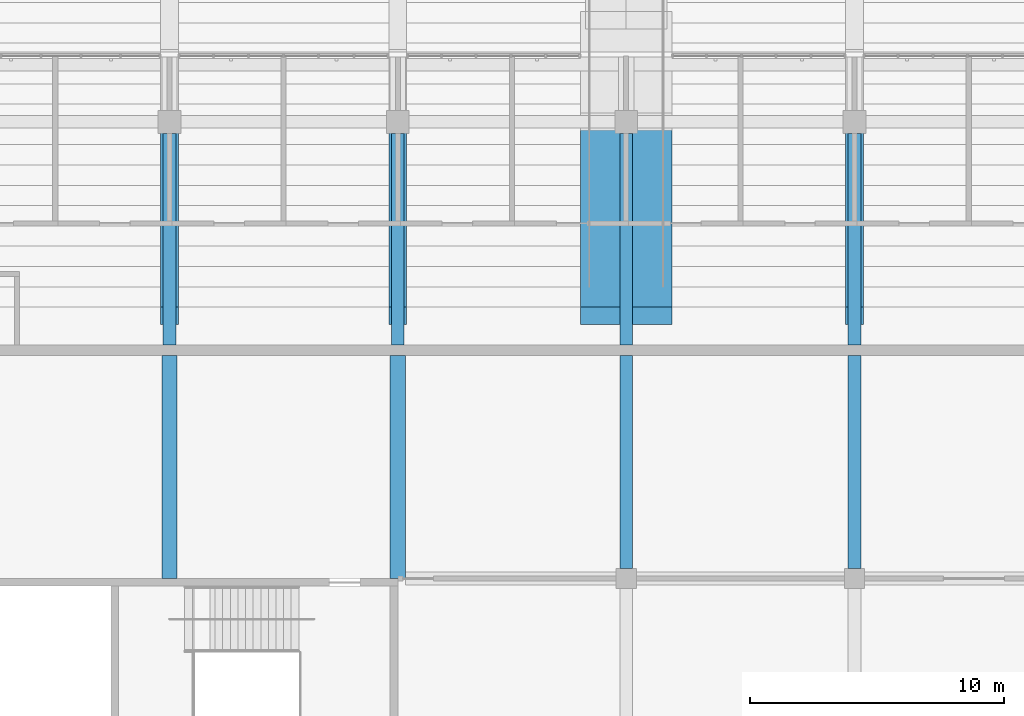
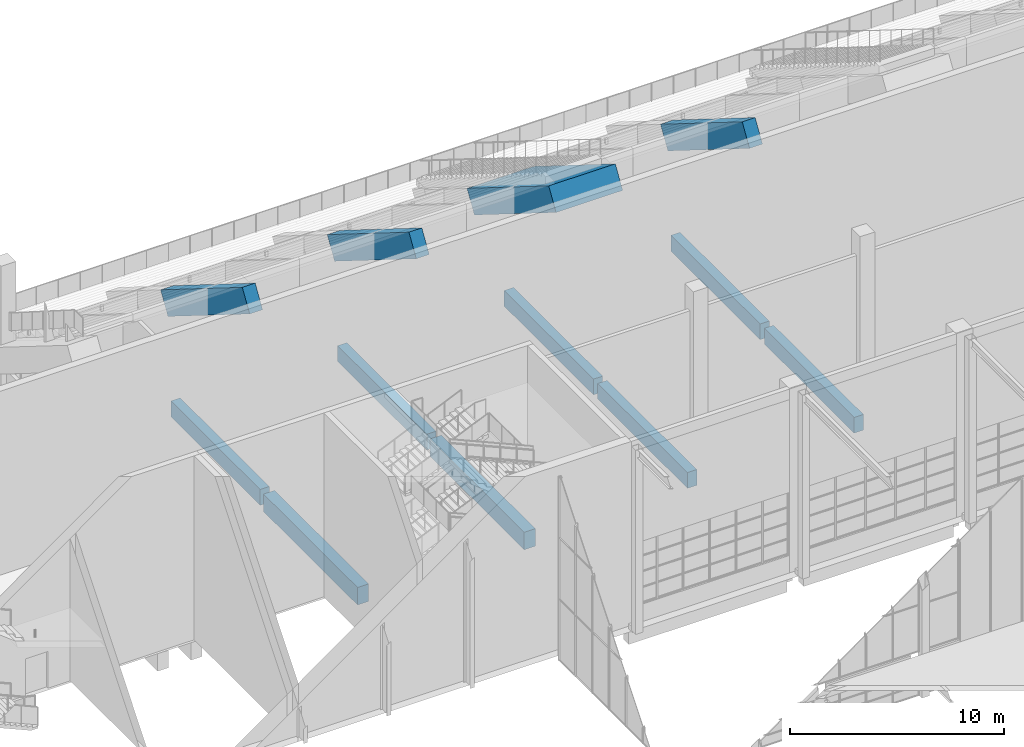
# One storey, part 23 of 182: 12 beams.
"""IFC4 building model written with IfcOpenShell, lengths in metres."""

from ifc_helpers import new_model, si_unit, direction, frame, origin, origin_2d, place, context, subcontext, project, spatial, rectangle, extrude, material, material_profile, profile_set, type_object, element, save


model = new_model("IFC4")

# Units and contexts
model_context = context("Model", 3, precision=1e-05, world=origin(), true_north=direction((0.0, 1.0)))
body_context = subcontext(model_context, "Body", "Model", "MODEL_VIEW")
ifc_project = project(units=[si_unit("LENGTHUNIT", "METRE"), si_unit("AREAUNIT", "SQUARE_METRE"), si_unit("VOLUMEUNIT", "CUBIC_METRE"), si_unit("PLANEANGLEUNIT", "RADIAN"), si_unit("MASSUNIT", "GRAM", prefix="KILO")], contexts=[model_context])

# Site, building, storey
site_placement = place(None, origin())
site = spatial("IfcSite", under=ifc_project, at=site_placement, CompositionType="ELEMENT")
building_placement = place(site_placement, origin())
building = spatial("IfcBuilding", under=site, at=building_placement, Name="Silverbay Arena", CompositionType="ELEMENT")
storey_placement = place(building_placement, frame((0.0, 0.0, 11.5)))
storey = spatial("IfcBuildingStorey", under=building, at=storey_placement, Name="L02", CompositionType="ELEMENT", Elevation=11.5)

# Beams
ifc_material_1 = material(Name="Concrete Grade C45", Category="concrete")
ifc_material_profile_1 = material_profile(ifc_material_1, rectangle(XDim=0.5, YDim=0.89990234375, at=origin_2d()), Name="RC 500x900")
ifc_profile_set_1 = profile_set([ifc_material_profile_1], Name="Concrete Grade C45")
beam_type_1 = type_object("IfcBeamType", Name="RC beam 500x900", PredefinedType="BEAM", material=ifc_profile_set_1)
for number, where, z_axis, x_axis, name in (
    (1, (108.0, 36.199951171875, -0.800048828125), (0.0, 1.0, 0.0), (-1.0, 0.0, 0.0), "Floor beam L02 254"),
    (2, (117.0, 36.199951171875, -0.800048828125), (0.0, 1.0, 0.0), (-1.0, 0.0, 0.0), "Floor beam L02 260"),
):
    element("IfcBeam", number, at=place(storey_placement, frame(where, z_axis=z_axis, x_axis=x_axis)), inside=storey, type_object=beam_type_1, Name=name, PredefinedType="BEAM", context=body_context, shape_type="SweptSolid", body=[
        extrude(rectangle(XDim=0.5, YDim=0.89990234375, at=origin_2d()), origin(), (0.0, 0.0, 1.0), 8.35009765625),
    ])
beam_1_placement = place(storey_placement, frame((126.0, 27.39990234375, -0.800048828125), z_axis=(0.0, 1.0, 0.0), x_axis=(-1.0, 0.0, 0.0)))
element("IfcBeam", 3, at=beam_1_placement, inside=storey, type_object=beam_type_1, Name="Floor beam L02 266", PredefinedType="BEAM", context=body_context, shape_type="SweptSolid", body=[
    extrude(rectangle(XDim=0.5, YDim=0.89990234375, at=origin_2d()), origin(), (0.0, 0.0, 1.0), 8.400146484375),
])
beam_2_placement = place(storey_placement, frame((126.0, 36.199951171875, -0.800048828125), z_axis=(0.0, 1.0, 0.0), x_axis=(-1.0, 0.0, 0.0)))
element("IfcBeam", 4, at=beam_2_placement, inside=storey, type_object=beam_type_1, Name="Floor beam L02 267", PredefinedType="BEAM", context=body_context, shape_type="SweptSolid", body=[
    extrude(rectangle(XDim=0.5, YDim=0.89990234375, at=origin_2d()), origin(), (0.0, 0.0, 1.0), 8.35009765625),
])
beam_3_placement = place(storey_placement, frame((135.0, 27.39990234375, -0.800048828125), z_axis=(0.0, 1.0, 0.0), x_axis=(-1.0, 0.0, 0.0)))
element("IfcBeam", 5, at=beam_3_placement, inside=storey, type_object=beam_type_1, Name="Floor beam L02 274", PredefinedType="BEAM", context=body_context, shape_type="SweptSolid", body=[
    extrude(rectangle(XDim=0.5, YDim=0.89990234375, at=origin_2d()), origin(), (0.0, 0.0, 1.0), 8.400146484375),
])
beam_4_placement = place(storey_placement, frame((135.0, 36.199951171875, -0.800048828125), z_axis=(0.0, 1.0, 0.0), x_axis=(-1.0, 0.0, 0.0)))
element("IfcBeam", 6, at=beam_4_placement, inside=storey, type_object=beam_type_1, Name="Floor beam L02 275", PredefinedType="BEAM", context=body_context, shape_type="SweptSolid", body=[
    extrude(rectangle(XDim=0.5, YDim=0.89990234375, at=origin_2d()), origin(), (0.0, 0.0, 1.0), 8.35009765625),
])
ifc_material_2 = material(Name="Concrete Grade C45", Category="concrete")
ifc_material_profile_2 = material_profile(ifc_material_2, rectangle(XDim=0.60009765625, YDim=1.0, at=origin_2d()), Name="RC 600x1000")
ifc_profile_set_2 = profile_set([ifc_material_profile_2], Name="Concrete Grade C45")
beam_type_2 = type_object("IfcBeamType", Name="RC beam 600x1000", PredefinedType="BEAM", material=ifc_profile_set_2)
for number, where, z_axis, x_axis, name in (
    (7, (108.0, 27.0, -0.85009765625), (0.0, 1.0, 0.0), (-1.0, 0.0, 0.0), "Floor beam L02 253"),
    (8, (117.0, 27.0, -0.85009765625), (0.0, 1.0, 0.0), (-1.0, 0.0, 0.0), "Floor beam L02 259"),
):
    element("IfcBeam", number, at=place(storey_placement, frame(where, z_axis=z_axis, x_axis=x_axis)), inside=storey, type_object=beam_type_2, Name=name, PredefinedType="BEAM", context=body_context, shape_type="SweptSolid", body=[
        extrude(rectangle(XDim=0.60009765625, YDim=1.0, at=origin_2d()), origin(), (0.0, 0.0, 1.0), 8.800048828125),
    ])
ifc_material_3 = material(Name="Concrete Grade C45", Category="concrete")
ifc_material_profile_3 = material_profile(ifc_material_3, rectangle(XDim=3.60009765625, YDim=1.300048828125, at=origin_2d()), Name="RC 3600x1300")
ifc_profile_set_3 = profile_set([ifc_material_profile_3], Name="Concrete Grade C45")
beam_type_3 = type_object("IfcBeamType", Name="RC tier raker 3600x1300", PredefinedType="BEAM", material=ifc_profile_set_3)
beam_5_placement = place(storey_placement, frame((126.0, 45.0, 4.990966796875), z_axis=(0.0, -0.847998304005, 0.529998940003), x_axis=(1.0, 0.0, 0.0)))
element("IfcBeam", 9, at=beam_5_placement, inside=storey, type_object=beam_type_3, Name="Raker South upper 126 back", PredefinedType="BEAM", context=body_context, shape_type="SweptSolid", body=[
    extrude(rectangle(XDim=3.60009765625, YDim=1.300048828125, at=origin_2d()), origin(), (0.0, 0.0, 1.0), 9.014892578125),
])
ifc_material_4 = material(Name="Concrete Grade C45", Category="concrete")
ifc_material_profile_4 = material_profile(ifc_material_4, rectangle(XDim=0.699951171875, YDim=1.300048828125, at=origin_2d()), Name="RC 700x1300")
ifc_profile_set_4 = profile_set([ifc_material_profile_4], Name="Concrete Grade C45")
beam_type_4 = type_object("IfcBeamType", Name="RC tier raker 700x1300", PredefinedType="BEAM", material=ifc_profile_set_4)
for number, where, z_axis, x_axis, name in (
    (10, (108.0, 45.0, 4.990966796875), (0.0, -0.847998304005, 0.529998940003), (1.0, 0.0, 0.0), "Raker South upper 108 back"),
    (11, (117.0, 45.0, 4.990966796875), (0.0, -0.847998304005, 0.529998940003), (1.0, 0.0, 0.0), "Raker South upper 117 back"),
    (12, (135.0, 45.0, 4.990966796875), (0.0, -0.847998304005, 0.529998940003), (1.0, 0.0, 0.0), "Raker South upper 135 back"),
):
    element("IfcBeam", number, at=place(storey_placement, frame(where, z_axis=z_axis, x_axis=x_axis)), inside=storey, type_object=beam_type_4, Name=name, PredefinedType="BEAM", context=body_context, shape_type="SweptSolid", body=[
        extrude(rectangle(XDim=0.699951171875, YDim=1.300048828125, at=origin_2d()), origin(), (0.0, 0.0, 1.0), 9.014892578125),
    ])

save(model, "model.ifc")
